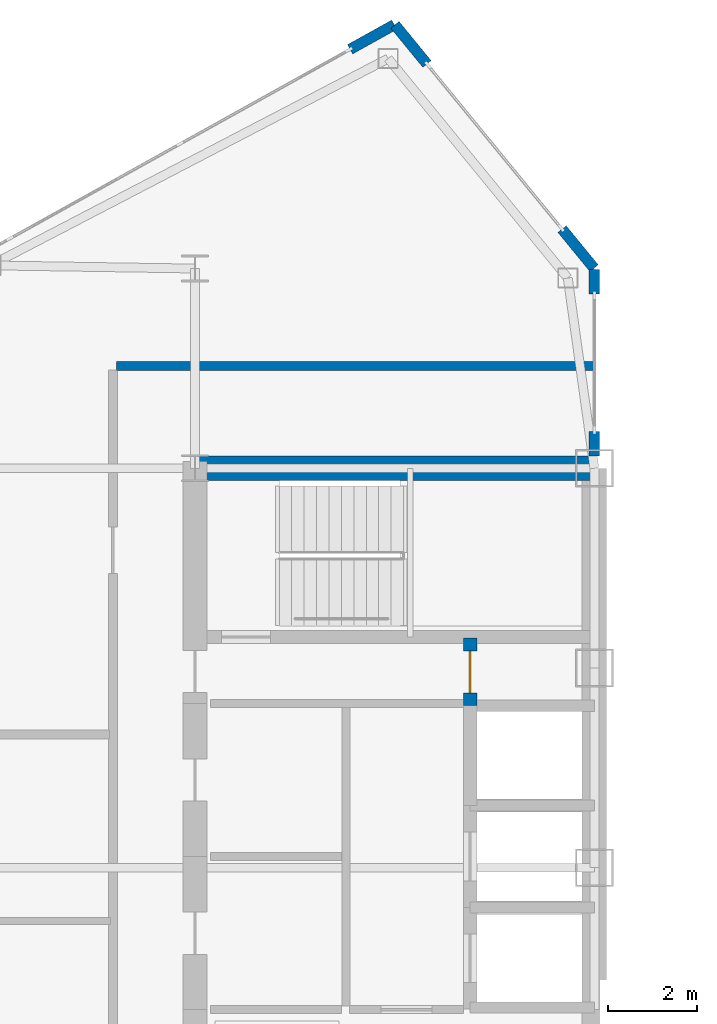
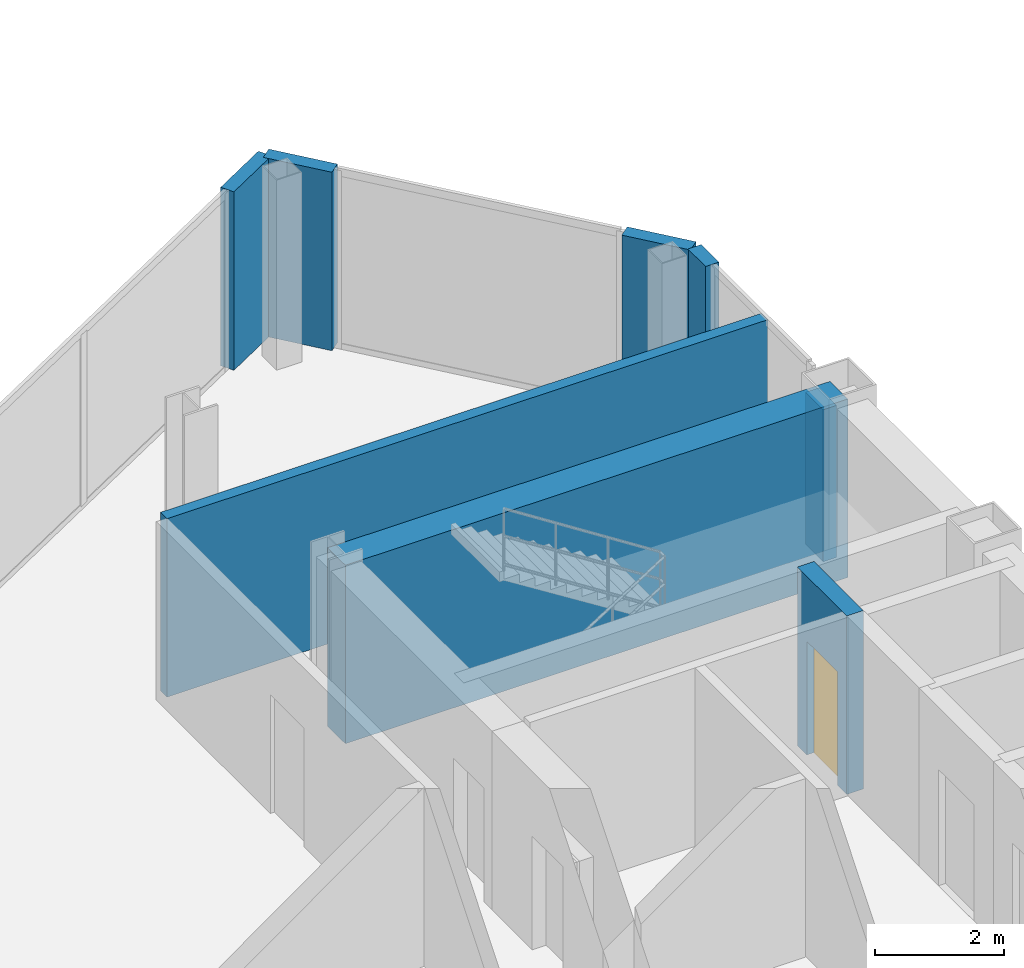
# One storey, part 21 of 26: 8 walls, 1 door, 1 opening.
"""IFC4 building model written with IfcOpenShell, lengths in metres."""

import ifcopenshell
import ifcopenshell.guid

model = None  # the IFC model being written
_history = None  # IfcOwnerHistory: only IFC2X3 demands one
_inside = {}  # id of a spatial element -> (the spatial element, [elements in it])
_under = {}  # id of a project, library or spatial element -> (it, [spatial elements below it])
_declared = {}  # id of a project -> (the project, [libraries it declares])
_typed = {}  # id of a type object -> (the type object, [elements of that type])
_made_of = {}  # id of a material, layer set ... -> (it, [elements and type objects made of it])


def new_model(schema):
    """Start an empty IFC model of exactly this schema.

    Asked for "IFC4X3", IfcOpenShell would pick the latest addendum, in which some entities
    have other attributes; the version numbers below select the first issue.
    IFC2X3 requires an IfcOwnerHistory on every rooted entity: one is made here for all.
    """
    global model, _history
    if schema == "IFC4X3":
        model = ifcopenshell.file(schema_version=(4, 3, 0, 0))
    else:
        model = ifcopenshell.file(schema=schema)
    _inside.clear()
    _under.clear()
    _declared.clear()
    _typed.clear()
    _made_of.clear()
    _history = None
    if model.schema == "IFC2X3":
        org = make("IfcOrganization", Name="unknown")
        user = make(
            "IfcPersonAndOrganization",
            ThePerson=make("IfcPerson", FamilyName="unknown"),
            TheOrganization=org,
        )
        app = make(
            "IfcApplication",
            ApplicationDeveloper=org,
            Version="unknown",
            ApplicationFullName="unknown",
            ApplicationIdentifier="unknown",
        )
        _history = make(
            "IfcOwnerHistory",
            OwningUser=user,
            OwningApplication=app,
            ChangeAction="ADDED",
            CreationDate=0,
        )
    return model


def make(cls, **values):
    """One entity of the class cls with the attributes given. An attribute that is None is left unset."""
    return model.create_entity(
        cls, **{name: value for name, value in values.items() if value is not None}
    )


def rooted(cls, **values):
    """An entity with a GlobalId (a new one), such as an element, a storey or a relation."""
    return make(cls, GlobalId=ifcopenshell.guid.new(), OwnerHistory=_history, **values)


def si_unit(unit_type, name, prefix=None):
    """IfcSIUnit, for example si_unit("LENGTHUNIT", "METRE", prefix="MILLI")."""
    return make("IfcSIUnit", UnitType=unit_type, Prefix=prefix, Name=name)


def assignment(units):
    """IfcUnitAssignment: the units of a project."""
    return None if units is None else make("IfcUnitAssignment", Units=units)


def point(xyz):
    """IfcCartesianPoint."""
    return None if xyz is None else make("IfcCartesianPoint", Coordinates=xyz)


def direction(xyz):
    """IfcDirection."""
    return None if xyz is None else make("IfcDirection", DirectionRatios=xyz)


def frame(location, z_axis=None, x_axis=None):
    """IfcAxis2Placement3D, a coordinate frame: its origin and axes. An axis left out is left unset."""
    return make(
        "IfcAxis2Placement3D",
        Location=point(location),
        Axis=direction(z_axis),
        RefDirection=direction(x_axis),
    )


def frame_2d(location, x_axis=None):
    """IfcAxis2Placement2D, a coordinate frame in the plane: its origin and x axis."""
    return make(
        "IfcAxis2Placement2D", Location=point(location), RefDirection=direction(x_axis)
    )


def origin():
    """The frame at (0, 0, 0) with its axes left unset."""
    return frame((0.0, 0.0, 0.0))


def place(relative_to, where):
    """IfcLocalPlacement: puts the frame where relative to a parent placement (None: the world)."""
    return make(
        "IfcLocalPlacement", PlacementRelTo=relative_to, RelativePlacement=where
    )


def context(
    kind, dimensions, precision=None, world=None, true_north=None, identifier=None
):
    """IfcGeometricRepresentationContext, for example the 3D "Model" context."""
    return make(
        "IfcGeometricRepresentationContext",
        ContextIdentifier=identifier,
        ContextType=kind,
        CoordinateSpaceDimension=dimensions,
        Precision=precision,
        WorldCoordinateSystem=world,
        TrueNorth=true_north,
    )


def subcontext(parent, identifier, kind, view, scale=None):
    """IfcGeometricRepresentationSubContext, for example "Body" below "Model"."""
    return make(
        "IfcGeometricRepresentationSubContext",
        ContextIdentifier=identifier,
        ContextType=kind,
        ParentContext=parent,
        TargetScale=scale,
        TargetView=view,
    )


def project(units=None, contexts=None):
    """IfcProject with its units and contexts."""
    return rooted(
        "IfcProject",
        Name="project",
        RepresentationContexts=contexts,
        UnitsInContext=assignment(units),
    )


def spatial(cls, under=None, at=None, **own):
    """A site, building, storey or space (cls), placed at a placement, below another one or the project."""
    s = rooted(cls, ObjectPlacement=at, **own)
    if under is not None:
        _under.setdefault(under.id(), (under, []))[1].append(s)
    return s


def profile(cls, at=None, kind="AREA", **sizes):
    """A parametric profile (cls). Its sizes go by their IFC names, for example OverallWidth=200.0."""
    return make(cls, ProfileType=kind, Position=at, **sizes)


def rectangle(**sizes):
    """IfcRectangleProfileDef."""
    return profile("IfcRectangleProfileDef", **sizes)


def extrude(swept, where, along, depth):
    """IfcExtrudedAreaSolid: the profile swept, set in the frame where, extruded along a direction by depth."""
    return make(
        "IfcExtrudedAreaSolid",
        SweptArea=swept,
        Position=where,
        ExtrudedDirection=direction(along),
        Depth=depth,
    )


def shape(context_of_items, identifier, shape_type, items):
    """IfcShapeRepresentation: the items that make up one representation, for example the "Body"."""
    return make(
        "IfcShapeRepresentation",
        ContextOfItems=context_of_items,
        RepresentationIdentifier=identifier,
        RepresentationType=shape_type,
        Items=items,
    )


def source(mapping_origin, context_of_items, identifier, shape_type, items):
    """IfcRepresentationMap: a shape defined once, which mapped items show again and again."""
    return make(
        "IfcRepresentationMap",
        MappingOrigin=mapping_origin,
        MappedRepresentation=shape(context_of_items, identifier, shape_type, items),
    )


def transform(
    local_origin,
    x_axis=None,
    y_axis=None,
    z_axis=None,
    scale=None,
    scale2=None,
    scale3=None,
    uniform=True,
):
    """IfcCartesianTransformationOperator3D, or its non-uniform kind. x_axis, y_axis, z_axis: its Axis1, 2, 3."""
    if uniform:
        return make(
            "IfcCartesianTransformationOperator3D",
            Axis1=direction(x_axis),
            Axis2=direction(y_axis),
            LocalOrigin=point(local_origin),
            Scale=scale,
            Axis3=direction(z_axis),
        )
    return make(
        "IfcCartesianTransformationOperator3DnonUniform",
        Axis1=direction(x_axis),
        Axis2=direction(y_axis),
        LocalOrigin=point(local_origin),
        Scale=scale,
        Axis3=direction(z_axis),
        Scale2=scale2,
        Scale3=scale3,
    )


def mapped(mapping_source, mapping_target):
    """IfcMappedItem: shows the shape of a source again, moved by a transform."""
    return make(
        "IfcMappedItem", MappingSource=mapping_source, MappingTarget=mapping_target
    )


def material(Name=None, Category=None):
    """IfcMaterial."""
    return make("IfcMaterial", Name=Name, Category=Category)


def layer(
    of_material, thickness, ventilated=None, Name=None, Category=None, Priority=None
):
    """IfcMaterialLayer: one layer of a wall or slab, of a material (None: an air gap)."""
    return make(
        "IfcMaterialLayer",
        Material=of_material,
        LayerThickness=thickness,
        IsVentilated=ventilated,
        Name=Name,
        Category=Category,
        Priority=Priority,
    )


def layer_set(layers, Name=None):
    """IfcMaterialLayerSet."""
    return make("IfcMaterialLayerSet", MaterialLayers=layers, LayerSetName=Name)


def made_of(thing, what):
    """Note that an element or type object is made of a material, layer set ...; save() writes the relation."""
    if what is not None:
        _made_of.setdefault(what.id(), (what, []))[1].append(thing)
    return thing


def type_object(cls, material=None, **own):
    """A type object (cls), such as IfcWallType, which elements share."""
    return made_of(rooted(cls, **own), material)


def type_shapes(of_type, sources):
    """Give a type object the sources (RepresentationMaps) that its elements show as mapped items."""
    of_type.RepresentationMaps = sources


def element(
    cls,
    number,
    at=None,
    inside=None,
    cuts=None,
    type_object=None,
    material=None,
    context=None,
    identifier="Body",
    shape_type=None,
    held_by="IfcProductDefinitionShape",
    body=None,
    shapes=None,
    **own,
):
    """One element of the class cls, such as IfcWall. Its Tag is "e" and its number.

    at: its placement. inside: the storey or other place that contains it. cuts: it is an
    opening in that element (IfcRelVoidsElement). A single representation is given by context,
    identifier, shape_type and body (its items); several are given by shapes. held_by: the class
    of the entity that holds the representations. save() writes the other relations.
    """
    e = rooted(cls, Tag="e%d" % number, ObjectPlacement=at, **own)
    if body is not None:
        shapes = [shape(context, identifier, shape_type, body)]
    if shapes is not None:
        e.Representation = make(held_by, Representations=shapes)
    if inside is not None:
        _inside.setdefault(inside.id(), (inside, []))[1].append(e)
    if cuts is not None:
        rooted(
            "IfcRelVoidsElement", RelatingBuildingElement=cuts, RelatedOpeningElement=e
        )
    if type_object is not None:
        _typed.setdefault(type_object.id(), (type_object, []))[1].append(e)
    return made_of(e, material)


def fill(opening, filler):
    """IfcRelFillsElement: the door or window that sits in an opening."""
    return rooted(
        "IfcRelFillsElement",
        RelatingOpeningElement=opening,
        RelatedBuildingElement=filler,
    )


def aggregate(whole, parts):
    """IfcRelAggregates: a whole, such as a stair, and the parts it consists of."""
    return rooted("IfcRelAggregates", RelatingObject=whole, RelatedObjects=parts)


def save(model, path):
    """Write the relations noted so far, then the file.

    IfcRelAggregates (storeys below a building ...), IfcRelContainedInSpatialStructure (elements
    in a storey), IfcRelDefinesByType, IfcRelAssociatesMaterial and IfcRelDeclares: one each for
    every whole, place, type object, material and project.
    """
    for whole, parts in _under.values():
        aggregate(whole, parts)
    for where, things in _inside.values():
        rooted(
            "IfcRelContainedInSpatialStructure",
            RelatedElements=things,
            RelatingStructure=where,
        )
    for kind, things in _typed.values():
        rooted("IfcRelDefinesByType", RelatedObjects=things, RelatingType=kind)
    for what, things in _made_of.values():
        rooted("IfcRelAssociatesMaterial", RelatedObjects=things, RelatingMaterial=what)
    for by, libraries in _declared.values():
        rooted("IfcRelDeclares", RelatingContext=by, RelatedDefinitions=libraries)
    model.write(path)


model = new_model("IFC4")

# Units and contexts
model_context = context("Model", 3, precision=1e-05, world=origin(), true_north=direction((0.0, 1.0)))
body_context = subcontext(model_context, "Body", "Model", "MODEL_VIEW")
ifc_project = project(units=[si_unit("LENGTHUNIT", "METRE"), si_unit("AREAUNIT", "SQUARE_METRE"), si_unit("VOLUMEUNIT", "CUBIC_METRE"), si_unit("PLANEANGLEUNIT", "RADIAN"), si_unit("MASSUNIT", "GRAM", prefix="KILO")], contexts=[model_context])

# Site, building, storey
site_placement = place(None, origin())
site = spatial("IfcSite", under=ifc_project, at=site_placement, CompositionType="ELEMENT")
building_placement = place(site_placement, origin())
building = spatial("IfcBuilding", under=site, at=building_placement, Name="Seokmaru Belvedere", CompositionType="ELEMENT")
storey_placement = place(building_placement, frame((0.0, 0.0, 177.89990234375)))
storey = spatial("IfcBuildingStorey", under=building, at=storey_placement, Name="L47", CompositionType="ELEMENT", Elevation=177.89990234375)

# Wall
ifc_material_1 = material(Name="Fire-Rated Gypsum Shaftwall")
ifc_layer_1 = layer(ifc_material_1, 0.199951171875)
ifc_layer_set_1 = layer_set([ifc_layer_1], Name="Fire-Rated Gypsum Shaftwall")
wall_type_1 = type_object("IfcWallType", Name="Inter-Tenancy Fire Compartment Partition 200", PredefinedType="PARTITIONING", material=ifc_layer_set_1)
wall_1_placement = place(storey_placement, frame((-38.264892578125, 15.800048828125, 0.0), z_axis=(0.0, 0.0, 1.0), x_axis=(1.0, 0.0, 0.0)))
element("IfcWall", 1, at=wall_1_placement, inside=storey, type_object=wall_type_1, Name="L47 Interior Partition 014", PredefinedType="PARTITIONING", context=body_context, shape_type="SweptSolid", body=[
    extrude(rectangle(XDim=10.764892578125, YDim=0.199951171875, at=frame_2d((5.38232421875, 0.0))), origin(), (0.0, 0.0, 1.0), 3.380126953125),
])

# Wall, opening, door
ifc_material_2 = material(Name="Concrete C50 (50 MPa)", Category="concrete")
ifc_layer_2 = layer(ifc_material_2, 0.300048828125)
ifc_layer_set_2 = layer_set([ifc_layer_2], Name="Concrete C50 (50 MPa)")
wall_type_2 = type_object("IfcWallType", Name="Internal Core Stair and Hoistway Wall 300", PredefinedType="SHEAR", material=ifc_layer_set_2)
wall_2_placement = place(storey_placement, frame((-30.300048828125, 8.14990234375, 0.0), z_axis=(0.0, 0.0, 1.0), x_axis=(0.0, 1.0, 0.0)))
wall_2 = element("IfcWall", 2, at=wall_2_placement, inside=storey, type_object=wall_type_2, Name="L47 West Electrical Riser Front Wall", PredefinedType="SHEAR", context=body_context, shape_type="SweptSolid", body=[
    extrude(rectangle(XDim=1.530029296875, YDim=0.300048828125, at=frame_2d((0.76513671875, 0.0))), origin(), (0.0, 0.0, 1.0), 3.380126953125),
])
opening_placement = place(wall_2_placement, frame((0.284912109375, 0.0, 0.0)))
opening = element("IfcOpeningElement", 3, at=opening_placement, cuts=wall_2, Name="Opening D04", PredefinedType="OPENING", context=body_context, shape_type="SweptSolid", body=[
    extrude(rectangle(XDim=0.949951171875, YDim=2.14990234375, at=frame_2d((0.47509765625, 1.074951171875))), frame((0.0, 0.16015625, 0.0), z_axis=(0.0, -1.0, 0.0), x_axis=(1.0, 0.0, 0.0)), (0.0, 0.0, 1.0), 0.320068359375),
])
ifc_material_3 = material(Name="Fire-Rated Steel Leaf", Category="steel")
door_type = type_object("IfcDoorType", Name="Core Service Room Fire Door 950x2150", OperationType="NOTDEFINED", PredefinedType="DOOR", material=ifc_material_3)
shared_shape = source(origin(), body_context, "Body", "SweptSolid", [
    extrude(rectangle(XDim=0.949951171875, YDim=2.14990234375, at=frame_2d((0.47509765625, 1.074951171875))), frame((0.0, 0.02490234375, 0.0), z_axis=(0.0, -1.0, 0.0), x_axis=(1.0, 0.0, 0.0)), (0.0, 0.0, 1.0), 0.050048828125),
])
type_shapes(door_type, [shared_shape])
door_placement = place(opening_placement, origin())
door = element("IfcDoor", 4, at=door_placement, inside=storey, type_object=door_type, Name="L47 West Electrical Riser Access Door", OperationType="SINGLE_SWING_LEFT", OverallHeight=2.14990234375, OverallWidth=0.949951171875, PredefinedType="DOOR", context=body_context, shape_type="MappedRepresentation", body=[
    mapped(shared_shape, transform((0.0, 0.0, 0.0), scale=1.0)),
])
fill(opening, door)

# Walls
ifc_layer_3 = layer(ifc_material_2, 0.550048828125)
ifc_layer_set_3 = layer_set([ifc_layer_3], Name="Concrete C50 (50 MPa)")
wall_type_3 = type_object("IfcWallType", Name="Mid-High Reinforced Concrete Core Wall 550", PredefinedType="SHEAR", material=ifc_layer_set_3)
wall_3_placement = place(storey_placement, frame((-36.5, 13.5, 0.0), z_axis=(0.0, 0.0, 1.0), x_axis=(1.0, 0.0, 0.0)))
element("IfcWall", 5, at=wall_3_placement, inside=storey, type_object=wall_type_3, Name="L47 West North Core Wall", PredefinedType="SHEAR", context=body_context, shape_type="SweptSolid", body=[
    extrude(rectangle(XDim=9.0, YDim=0.550048828125, at=frame_2d((4.5, 0.0))), origin(), (0.0, 0.0, 1.0), 3.380126953125),
])
ifc_material_4 = material(Name="Anodised Bronze Aluminium", Category="aluminium")
ifc_layer_4 = layer(ifc_material_4, 0.239990234375)
ifc_layer_set_4 = layer_set([ifc_layer_4], Name="Anodised Bronze Aluminium")
wall_type_4 = type_object("IfcWallType", Name="Tower Corner Spandrel Closure Wall 240", PredefinedType="SOLIDWALL", material=ifc_layer_set_4)
wall_4_placement = place(storey_placement, frame((-27.5, 13.780029296875, 0.0), z_axis=(0.0, 0.0, 1.0), x_axis=(0.0, 1.0, 0.0)))
element("IfcWall", 6, at=wall_4_placement, inside=storey, type_object=wall_type_4, Name="L47 W Spine Closure Pier 2A", PredefinedType="SOLIDWALL", context=body_context, shape_type="SweptSolid", body=[
    extrude(rectangle(XDim=0.550048828125, YDim=0.239990234375, at=frame_2d((0.27490234375, 0.0))), origin(), (0.0, 0.0, 1.0), 2.880126953125),
])
wall_5_placement = place(storey_placement, frame((-27.5, 17.429931640625, 0.0), z_axis=(0.0, 0.0, 1.0), x_axis=(0.0, 1.0, 0.0)))
element("IfcWall", 7, at=wall_5_placement, inside=storey, type_object=wall_type_4, Name="L47 W Spine Closure Pier 2B", PredefinedType="SOLIDWALL", context=body_context, shape_type="SweptSolid", body=[
    extrude(rectangle(XDim=0.550048828125, YDim=0.239990234375, at=frame_2d((0.27490234375, 0.0))), origin(), (0.0, 0.0, 1.0), 3.380126953125),
])
for number, where, z_axis, x_axis, name in (
    (8, (-27.50634765625, 18.0078125, 0.0), (0.0, 0.0, 1.0), (-0.633249451965, 0.77394775766, 0.0), "L47 W Corner Closure Pier 2A"),
    (9, (-31.271728515625, 22.60986328125, 0.0), (0.0, 0.0, 1.0), (-0.633249451965, 0.77394775766, 0.0), "L47 W Corner Closure Pier 2B"),
):
    element("IfcWall", number, at=place(storey_placement, frame(where, z_axis=z_axis, x_axis=x_axis)), inside=storey, type_object=wall_type_4, Name=name, PredefinedType="SOLIDWALL", context=body_context, shape_type="SweptSolid", body=[
        extrude(rectangle(XDim=1.14013671875, YDim=0.239990234375, at=frame_2d((0.570068359375, 0.0))), origin(), (0.0, 0.0, 1.0), 3.380126953125),
    ])
wall_6_placement = place(storey_placement, frame((-32.0087890625, 23.4951171875, 0.0), z_axis=(0.0, 0.0, 1.0), x_axis=(-0.87385402111, -0.486188389196, 0.0)))
element("IfcWall", 10, at=wall_6_placement, inside=storey, type_object=wall_type_4, Name="L47 W Corner Closure Pier 3A", PredefinedType="SOLIDWALL", context=body_context, shape_type="SweptSolid", body=[
    extrude(rectangle(XDim=1.139892578125, YDim=0.239990234375, at=frame_2d((0.56982421875, 0.0))), origin(), (0.0, 0.0, 1.0), 3.380126953125),
])

save(model, "model.ifc")
